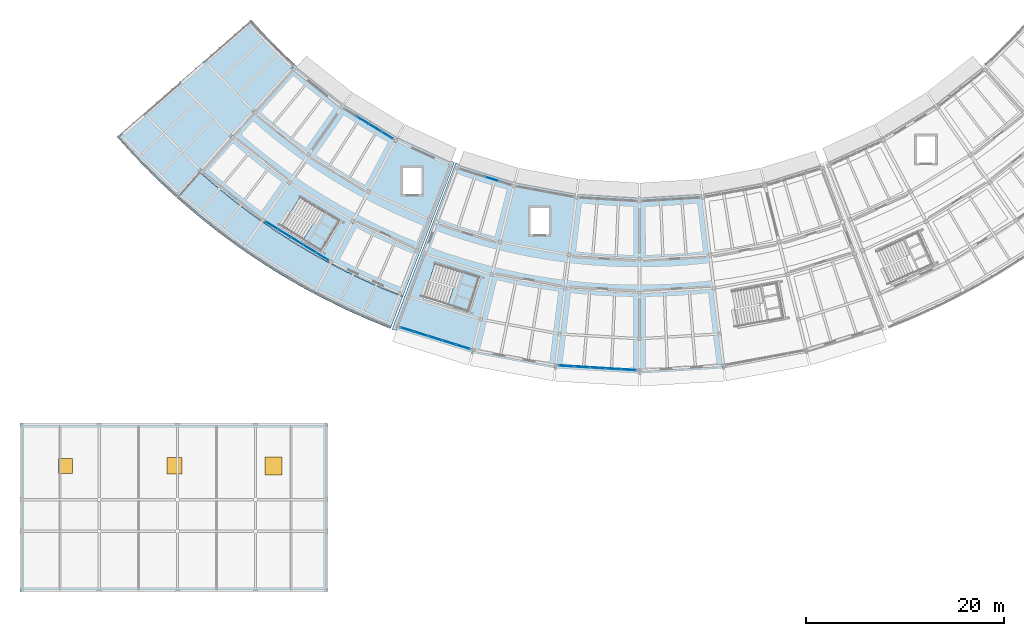
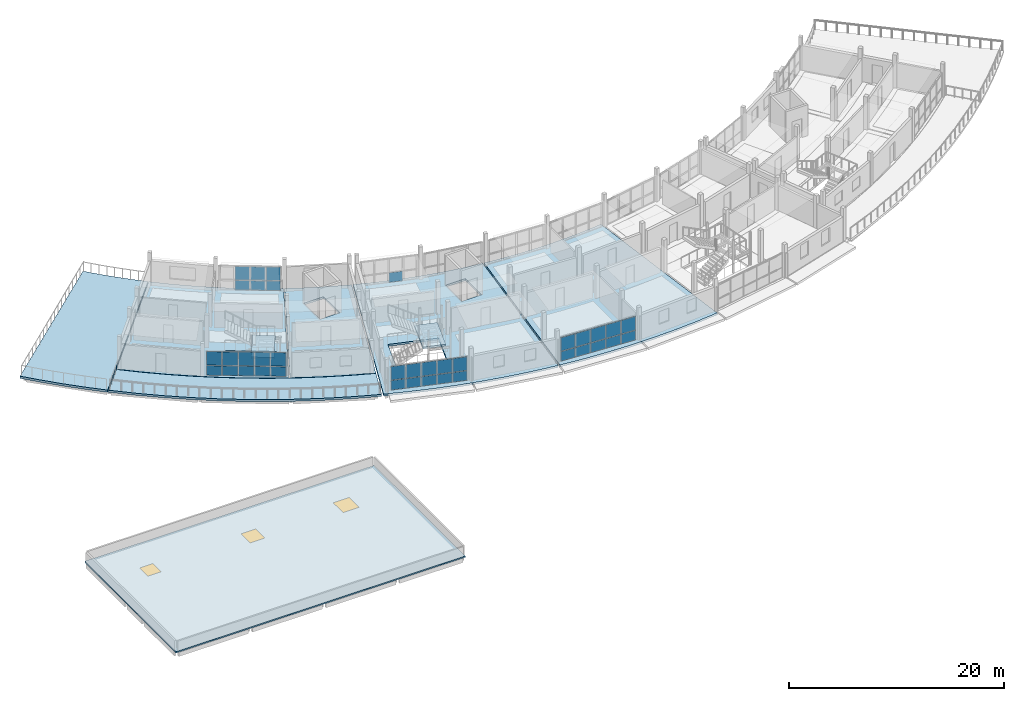
# One storey, part 20 of 36: 37 plates, 9 slabs, 3 windows, 3 openings, 7 elements without a shape of their own.
"""IFC4 building model written with IfcOpenShell, lengths in metres."""

from ifc_helpers import new_model, si_unit, direction, frame, origin, origin_2d, place, context, subcontext, project, spatial, polyline, rectangle, outline, extrude, material, layer, layer_set, type_object, element, fill, aggregate, save


model = new_model("IFC4")

# Units and contexts
model_context = context("Model", 3, precision=1e-05, world=origin(), true_north=direction((0.0, 1.0)))
body_context = subcontext(model_context, "Body", "Model", "MODEL_VIEW")
ifc_project = project(units=[si_unit("LENGTHUNIT", "METRE"), si_unit("AREAUNIT", "SQUARE_METRE"), si_unit("VOLUMEUNIT", "CUBIC_METRE"), si_unit("PLANEANGLEUNIT", "RADIAN"), si_unit("MASSUNIT", "GRAM", prefix="KILO")], contexts=[model_context])

# Site, building, storey
site_placement = place(None, origin())
site = spatial("IfcSite", under=ifc_project, at=site_placement, CompositionType="ELEMENT")
building_placement = place(site_placement, origin())
building = spatial("IfcBuilding", under=site, at=building_placement, Name="Caldaven Crescent School", CompositionType="ELEMENT")
storey_placement = place(building_placement, frame((0.0, 0.0, 11.89990234375)))
storey = spatial("IfcBuildingStorey", under=building, at=storey_placement, Name="L03", CompositionType="ELEMENT", Elevation=11.89990234375)

# Curtain wall, plates
ifc_material_1 = material(Name="Anodised aluminium AA 6063-T6 and low-E double glazing", Category="aluminium")
ifc_layer_1 = layer(ifc_material_1, 0.169921875)
ifc_layer_set_1 = layer_set([ifc_layer_1], Name="Anodised aluminium AA 6063-T6 and low-E double glazing")
curtain_wall_type_1 = type_object("IfcCurtainWallType", Name="CW-SYS1", PredefinedType="NOTDEFINED", material=ifc_layer_set_1)
curtain_wall_1_placement = place(storey_placement, origin())
curtain_wall_1 = element("IfcCurtainWall", 1, at=curtain_wall_1_placement, inside=storey, type_object=curtain_wall_type_1, Name="CW-L03-153", PredefinedType="NOTDEFINED")
ifc_material_2 = material(Name="Tempered low-E double glazing IGU", Category="glass")
ifc_layer_2 = layer(ifc_material_2, 0.0439453125)
ifc_layer_set_2 = layer_set([ifc_layer_2], Name="Tempered low-E double glazing IGU")
plate_type_1 = type_object("IfcPlateType", Name="PLT-CWP10", PredefinedType="CURTAIN_PANEL", material=ifc_layer_set_2)
plate_1_placement = place(storey_placement, frame((60.027587890625, 51.741455078125, 0.0703125), z_axis=(0.0, 0.0, 1.0), x_axis=(0.852639656854, -0.522499392879, 0.0)))
plate_1 = element("IfcPlate", 2, at=plate_1_placement, type_object=plate_type_1, Name="CW1 panel 2.1", PredefinedType="CURTAIN_PANEL", context=body_context, shape_type="SweptSolid", body=[
    extrude(rectangle(XDim=1.385986328125, YDim=0.0439453125, at=origin_2d()), origin(), (0.0, 0.0, 1.0), 1.071044921875),
])
plate_2_placement = place(storey_placement, frame((60.027587890625, 51.741455078125, 1.211181640625), z_axis=(0.0, 0.0, 1.0), x_axis=(0.852639656854, -0.522499392879, 0.0)))
plate_2 = element("IfcPlate", 3, at=plate_2_placement, type_object=plate_type_1, Name="CW1 panel 2.2", PredefinedType="CURTAIN_PANEL", context=body_context, shape_type="SweptSolid", body=[
    extrude(rectangle(XDim=1.385986328125, YDim=0.0439453125, at=origin_2d()), origin(), (0.0, 0.0, 1.0), 1.51904296875),
])
plate_3_placement = place(storey_placement, frame((61.2646484375, 50.9833984375, 0.0703125), z_axis=(0.0, 0.0, 1.0), x_axis=(0.852639656854, -0.522499392879, 0.0)))
plate_3 = element("IfcPlate", 4, at=plate_3_placement, type_object=plate_type_1, Name="CW1 panel 3.1", PredefinedType="CURTAIN_PANEL", context=body_context, shape_type="SweptSolid", body=[
    extrude(rectangle(XDim=1.385986328125, YDim=0.0439453125, at=origin_2d()), origin(), (0.0, 0.0, 1.0), 1.071044921875),
])
plate_4_placement = place(storey_placement, frame((61.2646484375, 50.9833984375, 1.211181640625), z_axis=(0.0, 0.0, 1.0), x_axis=(0.852639656854, -0.522499392879, 0.0)))
plate_4 = element("IfcPlate", 5, at=plate_4_placement, type_object=plate_type_1, Name="CW1 panel 3.2", PredefinedType="CURTAIN_PANEL", context=body_context, shape_type="SweptSolid", body=[
    extrude(rectangle(XDim=1.385986328125, YDim=0.0439453125, at=origin_2d()), origin(), (0.0, 0.0, 1.0), 1.51904296875),
])
plate_5_placement = place(storey_placement, frame((62.488037109375, 50.233642578125, 0.0703125), z_axis=(0.0, 0.0, 1.0), x_axis=(0.852639656854, -0.522499392879, 0.0)))
plate_5 = element("IfcPlate", 6, at=plate_5_placement, type_object=plate_type_1, Name="CW1 panel 4.1", PredefinedType="CURTAIN_PANEL", context=body_context, shape_type="SweptSolid", body=[
    extrude(rectangle(XDim=1.353515625, YDim=0.0439453125, at=origin_2d()), origin(), (0.0, 0.0, 1.0), 1.071044921875),
])
plate_6_placement = place(storey_placement, frame((62.488037109375, 50.233642578125, 1.211181640625), z_axis=(0.0, 0.0, 1.0), x_axis=(0.852639656854, -0.522499392879, 0.0)))
plate_6 = element("IfcPlate", 7, at=plate_6_placement, type_object=plate_type_1, Name="CW1 panel 4.2", PredefinedType="CURTAIN_PANEL", context=body_context, shape_type="SweptSolid", body=[
    extrude(rectangle(XDim=1.353515625, YDim=0.0439453125, at=origin_2d()), origin(), (0.0, 0.0, 1.0), 1.51904296875),
])
aggregate(curtain_wall_1, [plate_1, plate_2, plate_3, plate_4, plate_5, plate_6])

ifc_layer_3 = layer(ifc_material_1, 0.2099609375)
ifc_layer_set_3 = layer_set([ifc_layer_3], Name="Anodised aluminium AA 6063-T6 and low-E double glazing")
curtain_wall_type_2 = type_object("IfcCurtainWallType", Name="CW-SYS3", PredefinedType="NOTDEFINED", material=ifc_layer_set_3)
curtain_wall_2_placement = place(storey_placement, origin())
curtain_wall_2 = element("IfcCurtainWall", 8, at=curtain_wall_2_placement, inside=storey, type_object=curtain_wall_type_2, Name="CW-L03-154", PredefinedType="NOTDEFINED")
ifc_layer_4 = layer(ifc_material_2, 0.0458984375)
ifc_layer_set_4 = layer_set([ifc_layer_4], Name="Tempered low-E double glazing IGU")
plate_type_2 = type_object("IfcPlateType", Name="PLT-CWP11", PredefinedType="CURTAIN_PANEL", material=ifc_layer_set_4)
plate_7_placement = place(storey_placement, frame((50.851318359375, 41.0927734375, 0.06005859375), z_axis=(0.0, 0.0, 1.0), x_axis=(0.852640336399, -0.522498283964, 0.0)))
plate_7 = element("IfcPlate", 9, at=plate_7_placement, type_object=plate_type_2, Name="CW3 panel 1.1", PredefinedType="CURTAIN_PANEL", context=body_context, shape_type="SweptSolid", body=[
    extrude(rectangle(XDim=1.41015625, YDim=0.0458984375, at=origin_2d()), origin(), (0.0, 0.0, 1.0), 1.0859375),
])
plate_8_placement = place(storey_placement, frame((50.851318359375, 41.0927734375, 1.2060546875), z_axis=(0.0, 0.0, 1.0), x_axis=(0.852640336399, -0.522498283964, 0.0)))
plate_8 = element("IfcPlate", 10, at=plate_8_placement, type_object=plate_type_2, Name="CW3 panel 1.2", PredefinedType="CURTAIN_PANEL", context=body_context, shape_type="SweptSolid", body=[
    extrude(rectangle(XDim=1.41015625, YDim=0.0458984375, at=origin_2d()), origin(), (0.0, 0.0, 1.0), 1.533935546875),
])
plate_9_placement = place(storey_placement, frame((52.11767578125, 40.316650390625, 0.06005859375), z_axis=(0.0, 0.0, 1.0), x_axis=(0.852640336399, -0.522498283964, 0.0)))
plate_9 = element("IfcPlate", 11, at=plate_9_placement, type_object=plate_type_2, Name="CW3 panel 2.1", PredefinedType="CURTAIN_PANEL", context=body_context, shape_type="SweptSolid", body=[
    extrude(rectangle(XDim=1.440185546875, YDim=0.0458984375, at=origin_2d()), origin(), (0.0, 0.0, 1.0), 1.0859375),
])
plate_10_placement = place(storey_placement, frame((52.11767578125, 40.316650390625, 1.2060546875), z_axis=(0.0, 0.0, 1.0), x_axis=(0.852640336399, -0.522498283964, 0.0)))
plate_10 = element("IfcPlate", 12, at=plate_10_placement, type_object=plate_type_2, Name="CW3 panel 2.2", PredefinedType="CURTAIN_PANEL", context=body_context, shape_type="SweptSolid", body=[
    extrude(rectangle(XDim=1.440185546875, YDim=0.0458984375, at=origin_2d()), origin(), (0.0, 0.0, 1.0), 1.533935546875),
])
plate_11_placement = place(storey_placement, frame((53.39697265625, 39.532958984375, 0.06005859375), z_axis=(0.0, 0.0, 1.0), x_axis=(0.852640336399, -0.522498283964, 0.0)))
plate_11 = element("IfcPlate", 13, at=plate_11_placement, type_object=plate_type_2, Name="CW3 panel 3.1", PredefinedType="CURTAIN_PANEL", context=body_context, shape_type="SweptSolid", body=[
    extrude(rectangle(XDim=1.440185546875, YDim=0.0458984375, at=origin_2d()), origin(), (0.0, 0.0, 1.0), 1.0859375),
])
plate_12_placement = place(storey_placement, frame((53.39697265625, 39.532958984375, 1.2060546875), z_axis=(0.0, 0.0, 1.0), x_axis=(0.852640336399, -0.522498283964, 0.0)))
plate_12 = element("IfcPlate", 14, at=plate_12_placement, type_object=plate_type_2, Name="CW3 panel 3.2", PredefinedType="CURTAIN_PANEL", context=body_context, shape_type="SweptSolid", body=[
    extrude(rectangle(XDim=1.440185546875, YDim=0.0458984375, at=origin_2d()), origin(), (0.0, 0.0, 1.0), 1.533935546875),
])
plate_13_placement = place(storey_placement, frame((54.676025390625, 38.7490234375, 0.06005859375), z_axis=(0.0, 0.0, 1.0), x_axis=(0.852640336399, -0.522498283964, 0.0)))
plate_13 = element("IfcPlate", 15, at=plate_13_placement, type_object=plate_type_2, Name="CW3 panel 4.1", PredefinedType="CURTAIN_PANEL", context=body_context, shape_type="SweptSolid", body=[
    extrude(rectangle(XDim=1.440185546875, YDim=0.0458984375, at=origin_2d()), origin(), (0.0, 0.0, 1.0), 1.0859375),
])
plate_14_placement = place(storey_placement, frame((54.676025390625, 38.7490234375, 1.2060546875), z_axis=(0.0, 0.0, 1.0), x_axis=(0.852640336399, -0.522498283964, 0.0)))
plate_14 = element("IfcPlate", 16, at=plate_14_placement, type_object=plate_type_2, Name="CW3 panel 4.2", PredefinedType="CURTAIN_PANEL", context=body_context, shape_type="SweptSolid", body=[
    extrude(rectangle(XDim=1.440185546875, YDim=0.0458984375, at=origin_2d()), origin(), (0.0, 0.0, 1.0), 1.533935546875),
])
plate_15_placement = place(storey_placement, frame((55.9423828125, 37.972900390625, 0.06005859375), z_axis=(0.0, 0.0, 1.0), x_axis=(0.852640336399, -0.522498283964, 0.0)))
plate_15 = element("IfcPlate", 17, at=plate_15_placement, type_object=plate_type_2, Name="CW3 panel 5.1", PredefinedType="CURTAIN_PANEL", context=body_context, shape_type="SweptSolid", body=[
    extrude(rectangle(XDim=1.41015625, YDim=0.0458984375, at=origin_2d()), origin(), (0.0, 0.0, 1.0), 1.0859375),
])
plate_16_placement = place(storey_placement, frame((55.9423828125, 37.972900390625, 1.2060546875), z_axis=(0.0, 0.0, 1.0), x_axis=(0.852640336399, -0.522498283964, 0.0)))
plate_16 = element("IfcPlate", 18, at=plate_16_placement, type_object=plate_type_2, Name="CW3 panel 5.2", PredefinedType="CURTAIN_PANEL", context=body_context, shape_type="SweptSolid", body=[
    extrude(rectangle(XDim=1.41015625, YDim=0.0458984375, at=origin_2d()), origin(), (0.0, 0.0, 1.0), 1.533935546875),
])
aggregate(curtain_wall_2, [plate_7, plate_8, plate_9, plate_10, plate_11, plate_12, plate_13, plate_14, plate_15, plate_16])

# Curtain wall, plate
curtain_wall_3_placement = place(storey_placement, origin())
curtain_wall_3 = element("IfcCurtainWall", 19, at=curtain_wall_3_placement, inside=storey, type_object=curtain_wall_type_2, Name="CW-L03-155", PredefinedType="NOTDEFINED")
ifc_layer_5 = layer(ifc_material_2, 0.048095703125)
ifc_layer_set_5 = layer_set([ifc_layer_5], Name="Tempered low-E double glazing IGU")
plate_type_3 = type_object("IfcPlateType", Name="PLT-CWP12", PredefinedType="CURTAIN_PANEL", material=ifc_layer_set_5)
plate_17_placement = place(storey_placement, frame((73.075927734375, 45.804443359375, 0.06005859375), z_axis=(0.0, 0.0, 1.0), x_axis=(0.954746818344, -0.297419758694, 0.0)))
plate_17 = element("IfcPlate", 20, at=plate_17_placement, type_object=plate_type_3, Name="CW3 panel 3.1", PredefinedType="CURTAIN_PANEL", context=body_context, shape_type="SweptSolid", body=[
    extrude(rectangle(XDim=1.30078125, YDim=0.048095703125, at=origin_2d()), origin(), (0.0, 0.0, 1.0), 1.0859375),
])
aggregate(curtain_wall_3, [plate_17])

# Curtain wall, plates
curtain_wall_4_placement = place(storey_placement, origin())
curtain_wall_4 = element("IfcCurtainWall", 21, at=curtain_wall_4_placement, inside=storey, type_object=curtain_wall_type_1, Name="CW-L03-156", PredefinedType="NOTDEFINED")
ifc_layer_6 = layer(ifc_material_2, 0.050048828125)
ifc_layer_set_6 = layer_set([ifc_layer_6], Name="Tempered low-E double glazing IGU")
plate_type_4 = type_object("IfcPlateType", Name="PLT-CWP13", PredefinedType="CURTAIN_PANEL", material=ifc_layer_set_6)
plate_18_placement = place(storey_placement, frame((64.5341796875, 30.58447265625, 0.06494140625), z_axis=(0.0, 0.0, 1.0), x_axis=(0.954746673802, -0.297420222689, 0.0)))
plate_18 = element("IfcPlate", 22, at=plate_18_placement, type_object=plate_type_4, Name="CW1 panel 1.1", PredefinedType="CURTAIN_PANEL", context=body_context, shape_type="SweptSolid", body=[
    extrude(rectangle(XDim=1.377685546875, YDim=0.050048828125, at=origin_2d()), origin(), (0.0, 0.0, 1.0), 1.07861328125),
])
plate_19_placement = place(storey_placement, frame((64.5341796875, 30.58447265625, 1.20849609375), z_axis=(0.0, 0.0, 1.0), x_axis=(0.954746673802, -0.297420222689, 0.0)))
plate_19 = element("IfcPlate", 23, at=plate_19_placement, type_object=plate_type_4, Name="CW1 panel 1.2", PredefinedType="CURTAIN_PANEL", context=body_context, shape_type="SweptSolid", body=[
    extrude(rectangle(XDim=1.377685546875, YDim=0.050048828125, at=origin_2d()), origin(), (0.0, 0.0, 1.0), 1.526611328125),
])
plate_20_placement = place(storey_placement, frame((65.93310546875, 30.148681640625, 0.06494140625), z_axis=(0.0, 0.0, 1.0), x_axis=(0.954746673802, -0.297420222689, 0.0)))
plate_20 = element("IfcPlate", 24, at=plate_20_placement, type_object=plate_type_4, Name="CW1 panel 2.1", PredefinedType="CURTAIN_PANEL", context=body_context, shape_type="SweptSolid", body=[
    extrude(rectangle(XDim=1.412841796875, YDim=0.050048828125, at=origin_2d()), origin(), (0.0, 0.0, 1.0), 1.07861328125),
])
plate_21_placement = place(storey_placement, frame((65.93310546875, 30.148681640625, 1.20849609375), z_axis=(0.0, 0.0, 1.0), x_axis=(0.954746673802, -0.297420222689, 0.0)))
plate_21 = element("IfcPlate", 25, at=plate_21_placement, type_object=plate_type_4, Name="CW1 panel 2.2", PredefinedType="CURTAIN_PANEL", context=body_context, shape_type="SweptSolid", body=[
    extrude(rectangle(XDim=1.412841796875, YDim=0.050048828125, at=origin_2d()), origin(), (0.0, 0.0, 1.0), 1.526611328125),
])
plate_22_placement = place(storey_placement, frame((67.3486328125, 29.707763671875, 0.06494140625), z_axis=(0.0, 0.0, 1.0), x_axis=(0.954746673802, -0.297420222689, 0.0)))
plate_22 = element("IfcPlate", 26, at=plate_22_placement, type_object=plate_type_4, Name="CW1 panel 3.1", PredefinedType="CURTAIN_PANEL", context=body_context, shape_type="SweptSolid", body=[
    extrude(rectangle(XDim=1.412841796875, YDim=0.050048828125, at=origin_2d()), origin(), (0.0, 0.0, 1.0), 1.07861328125),
])
plate_23_placement = place(storey_placement, frame((67.3486328125, 29.707763671875, 1.20849609375), z_axis=(0.0, 0.0, 1.0), x_axis=(0.954746673802, -0.297420222689, 0.0)))
plate_23 = element("IfcPlate", 27, at=plate_23_placement, type_object=plate_type_4, Name="CW1 panel 3.2", PredefinedType="CURTAIN_PANEL", context=body_context, shape_type="SweptSolid", body=[
    extrude(rectangle(XDim=1.412841796875, YDim=0.050048828125, at=origin_2d()), origin(), (0.0, 0.0, 1.0), 1.526611328125),
])
plate_24_placement = place(storey_placement, frame((68.764404296875, 29.2666015625, 0.06494140625), z_axis=(0.0, 0.0, 1.0), x_axis=(0.954746673802, -0.297420222689, 0.0)))
plate_24 = element("IfcPlate", 28, at=plate_24_placement, type_object=plate_type_4, Name="CW1 panel 4.1", PredefinedType="CURTAIN_PANEL", context=body_context, shape_type="SweptSolid", body=[
    extrude(rectangle(XDim=1.412841796875, YDim=0.050048828125, at=origin_2d()), origin(), (0.0, 0.0, 1.0), 1.07861328125),
])
plate_25_placement = place(storey_placement, frame((68.764404296875, 29.2666015625, 1.20849609375), z_axis=(0.0, 0.0, 1.0), x_axis=(0.954746673802, -0.297420222689, 0.0)))
plate_25 = element("IfcPlate", 29, at=plate_25_placement, type_object=plate_type_4, Name="CW1 panel 4.2", PredefinedType="CURTAIN_PANEL", context=body_context, shape_type="SweptSolid", body=[
    extrude(rectangle(XDim=1.412841796875, YDim=0.050048828125, at=origin_2d()), origin(), (0.0, 0.0, 1.0), 1.526611328125),
])
plate_26_placement = place(storey_placement, frame((70.163330078125, 28.830810546875, 0.06494140625), z_axis=(0.0, 0.0, 1.0), x_axis=(0.954746673802, -0.297420222689, 0.0)))
plate_26 = element("IfcPlate", 30, at=plate_26_placement, type_object=plate_type_4, Name="CW1 panel 5.1", PredefinedType="CURTAIN_PANEL", context=body_context, shape_type="SweptSolid", body=[
    extrude(rectangle(XDim=1.377685546875, YDim=0.050048828125, at=origin_2d()), origin(), (0.0, 0.0, 1.0), 1.07861328125),
])
plate_27_placement = place(storey_placement, frame((70.163330078125, 28.830810546875, 1.20849609375), z_axis=(0.0, 0.0, 1.0), x_axis=(0.954746673802, -0.297420222689, 0.0)))
plate_27 = element("IfcPlate", 31, at=plate_27_placement, type_object=plate_type_4, Name="CW1 panel 5.2", PredefinedType="CURTAIN_PANEL", context=body_context, shape_type="SweptSolid", body=[
    extrude(rectangle(XDim=1.377685546875, YDim=0.050048828125, at=origin_2d()), origin(), (0.0, 0.0, 1.0), 1.526611328125),
])
aggregate(curtain_wall_4, [plate_18, plate_19, plate_20, plate_21, plate_22, plate_23, plate_24, plate_25, plate_26, plate_27])

curtain_wall_5_placement = place(storey_placement, origin())
curtain_wall_5 = element("IfcCurtainWall", 32, at=curtain_wall_5_placement, inside=storey, type_object=curtain_wall_type_2, Name="CW-L03-159", PredefinedType="NOTDEFINED")
ifc_layer_7 = layer(ifc_material_2, 0.055908203125)
ifc_layer_set_7 = layer_set([ifc_layer_7], Name="Tempered low-E double glazing IGU")
plate_type_5 = type_object("IfcPlateType", Name="PLT-CWP16", PredefinedType="CURTAIN_PANEL", material=ifc_layer_set_7)
plate_28_placement = place(storey_placement, frame((80.62744140625, 26.90087890625, 0.0703125), z_axis=(0.0, 0.0, 1.0), x_axis=(0.998134766843, -0.061049055851, 0.0)))
plate_28 = element("IfcPlate", 33, at=plate_28_placement, type_object=plate_type_5, Name="CW3 panel 1.1", PredefinedType="CURTAIN_PANEL", context=body_context, shape_type="SweptSolid", body=[
    extrude(rectangle(XDim=1.48095703125, YDim=0.055908203125, at=origin_2d()), origin(), (0.0, 0.0, 1.0), 1.071044921875),
])
plate_29_placement = place(storey_placement, frame((80.62744140625, 26.90087890625, 1.211181640625), z_axis=(0.0, 0.0, 1.0), x_axis=(0.998134766843, -0.061049055851, 0.0)))
plate_29 = element("IfcPlate", 34, at=plate_29_placement, type_object=plate_type_5, Name="CW3 panel 1.2", PredefinedType="CURTAIN_PANEL", context=body_context, shape_type="SweptSolid", body=[
    extrude(rectangle(XDim=1.48095703125, YDim=0.055908203125, at=origin_2d()), origin(), (0.0, 0.0, 1.0), 1.51904296875),
])
plate_30_placement = place(storey_placement, frame((82.1865234375, 26.8056640625, 0.0703125), z_axis=(0.0, 0.0, 1.0), x_axis=(0.998134766843, -0.061049055851, 0.0)))
plate_30 = element("IfcPlate", 35, at=plate_30_placement, type_object=plate_type_5, Name="CW3 panel 2.1", PredefinedType="CURTAIN_PANEL", context=body_context, shape_type="SweptSolid", body=[
    extrude(rectangle(XDim=1.513427734375, YDim=0.055908203125, at=origin_2d()), origin(), (0.0, 0.0, 1.0), 1.071044921875),
])
plate_31_placement = place(storey_placement, frame((82.1865234375, 26.8056640625, 1.211181640625), z_axis=(0.0, 0.0, 1.0), x_axis=(0.998134766843, -0.061049055851, 0.0)))
plate_31 = element("IfcPlate", 36, at=plate_31_placement, type_object=plate_type_5, Name="CW3 panel 2.2", PredefinedType="CURTAIN_PANEL", context=body_context, shape_type="SweptSolid", body=[
    extrude(rectangle(XDim=1.513427734375, YDim=0.055908203125, at=origin_2d()), origin(), (0.0, 0.0, 1.0), 1.51904296875),
])
plate_32_placement = place(storey_placement, frame((83.761962890625, 26.709228515625, 0.0703125), z_axis=(0.0, 0.0, 1.0), x_axis=(0.998134766843, -0.061049055851, 0.0)))
plate_32 = element("IfcPlate", 37, at=plate_32_placement, type_object=plate_type_5, Name="CW3 panel 3.1", PredefinedType="CURTAIN_PANEL", context=body_context, shape_type="SweptSolid", body=[
    extrude(rectangle(XDim=1.513427734375, YDim=0.055908203125, at=origin_2d()), origin(), (0.0, 0.0, 1.0), 1.071044921875),
])
plate_33_placement = place(storey_placement, frame((83.761962890625, 26.709228515625, 1.211181640625), z_axis=(0.0, 0.0, 1.0), x_axis=(0.998134766843, -0.061049055851, 0.0)))
plate_33 = element("IfcPlate", 38, at=plate_33_placement, type_object=plate_type_5, Name="CW3 panel 3.2", PredefinedType="CURTAIN_PANEL", context=body_context, shape_type="SweptSolid", body=[
    extrude(rectangle(XDim=1.513427734375, YDim=0.055908203125, at=origin_2d()), origin(), (0.0, 0.0, 1.0), 1.51904296875),
])
plate_34_placement = place(storey_placement, frame((85.33740234375, 26.61279296875, 0.0703125), z_axis=(0.0, 0.0, 1.0), x_axis=(0.998134766843, -0.061049055851, 0.0)))
plate_34 = element("IfcPlate", 39, at=plate_34_placement, type_object=plate_type_5, Name="CW3 panel 4.1", PredefinedType="CURTAIN_PANEL", context=body_context, shape_type="SweptSolid", body=[
    extrude(rectangle(XDim=1.513427734375, YDim=0.055908203125, at=origin_2d()), origin(), (0.0, 0.0, 1.0), 1.071044921875),
])
plate_35_placement = place(storey_placement, frame((85.33740234375, 26.61279296875, 1.211181640625), z_axis=(0.0, 0.0, 1.0), x_axis=(0.998134766843, -0.061049055851, 0.0)))
plate_35 = element("IfcPlate", 40, at=plate_35_placement, type_object=plate_type_5, Name="CW3 panel 4.2", PredefinedType="CURTAIN_PANEL", context=body_context, shape_type="SweptSolid", body=[
    extrude(rectangle(XDim=1.513427734375, YDim=0.055908203125, at=origin_2d()), origin(), (0.0, 0.0, 1.0), 1.51904296875),
])
plate_36_placement = place(storey_placement, frame((86.896728515625, 26.517578125, 0.0703125), z_axis=(0.0, 0.0, 1.0), x_axis=(0.998134766843, -0.061049055851, 0.0)))
plate_36 = element("IfcPlate", 41, at=plate_36_placement, type_object=plate_type_5, Name="CW3 panel 5.1", PredefinedType="CURTAIN_PANEL", context=body_context, shape_type="SweptSolid", body=[
    extrude(rectangle(XDim=1.48095703125, YDim=0.055908203125, at=origin_2d()), origin(), (0.0, 0.0, 1.0), 1.071044921875),
])
plate_37_placement = place(storey_placement, frame((86.896728515625, 26.517578125, 1.211181640625), z_axis=(0.0, 0.0, 1.0), x_axis=(0.998134766843, -0.061049055851, 0.0)))
plate_37 = element("IfcPlate", 42, at=plate_37_placement, type_object=plate_type_5, Name="CW3 panel 5.2", PredefinedType="CURTAIN_PANEL", context=body_context, shape_type="SweptSolid", body=[
    extrude(rectangle(XDim=1.48095703125, YDim=0.055908203125, at=origin_2d()), origin(), (0.0, 0.0, 1.0), 1.51904296875),
])
aggregate(curtain_wall_5, [plate_28, plate_29, plate_30, plate_31, plate_32, plate_33, plate_34, plate_35, plate_36, plate_37])

# Slabs
ifc_material_3 = material(Name="Cross-laminated timber CLT C24", Category="wood")
ifc_layer_8 = layer(ifc_material_3, 0.219970703125)
ifc_layer_set_8 = layer_set([ifc_layer_8], Name="Cross-laminated timber CLT C24")
slab_type_1 = type_object("IfcSlabType", Name="SLB-FS2", PredefinedType="FLOOR", material=ifc_layer_set_8)
slab_1_placement = place(storey_placement, frame((0.0, 0.0, -0.219970703125)))
element("IfcSlab", 43, at=slab_1_placement, inside=storey, type_object=slab_type_1, Name="SLB-V4W-L03-B02", PredefinedType="FLOOR", context=body_context, shape_type="SweptSolid", body=[
    extrude(outline(polyline([(43.505615234375, 46.551513671875), (45.2470703125, 45.038330078125), (47.0400390625, 43.58642578125), (48.88232421875, 42.197509765625), (50.771484375, 40.873291015625), (52.70556640625, 39.615478515625), (54.681884765625, 38.425537109375), (56.698486328125, 37.3046875), (63.531005859375, 50.11669921875), (61.95458984375, 50.992919921875), (60.40966796875, 51.923095703125), (58.897705078125, 52.906494140625), (57.4208984375, 53.94140625), (55.980712890625, 55.027099609375), (54.579345703125, 56.162109375), (53.2177734375, 57.344970703125), (43.505615234375, 46.551513671875)]), holes=[polyline([(51.8125, 40.874755859375), (53.78759765625, 44.09765625), (57.864990234375, 41.59912109375), (55.889892578125, 38.3759765625), (51.8125, 40.874755859375)])]), origin(), (0.0, 0.0, 1.0), 0.219970703125),
])
slab_2_placement = place(storey_placement, frame((0.0, 0.0, -0.219970703125)))
element("IfcSlab", 44, at=slab_2_placement, inside=storey, type_object=slab_type_1, Name="SLB-V4W-L03-B04", PredefinedType="FLOOR", context=body_context, shape_type="SweptSolid", body=[
    extrude(outline(polyline([(56.7900390625, 37.256103515625), (58.5751953125, 36.341796875), (60.38720703125, 35.48193359375), (62.224365234375, 34.6767578125), (64.0849609375, 33.927490234375), (69.30517578125, 47.476806640625), (67.850830078125, 48.0625), (66.41455078125, 48.691650390625), (64.998046875, 49.364013671875), (63.6025390625, 50.07861328125), (56.7900390625, 37.256103515625)]), holes=[polyline([(63.97607421875, 44.088134765625), (63.97607421875, 47.088134765625), (66.075927734375, 47.088134765625), (66.075927734375, 44.088134765625), (63.97607421875, 44.088134765625)])]), origin(), (0.0, 0.0, 1.0), 0.219970703125),
])
slab_3_placement = place(storey_placement, frame((0.0, 0.0, -0.219970703125)))
element("IfcSlab", 45, at=slab_3_placement, inside=storey, type_object=slab_type_1, Name="SLB-V5-L03-B05", PredefinedType="FLOOR", context=body_context, shape_type="SweptSolid", body=[
    extrude(outline(polyline([(62.99462890625, 30.61865234375), (65.268310546875, 29.793701171875), (67.5693359375, 29.0478515625), (69.89453125, 28.382080078125), (72.241455078125, 27.796875), (74.607177734375, 27.293212890625), (76.98876953125, 26.87158203125), (79.3837890625, 26.5322265625), (81.599365234375, 44.3955078125), (79.8203125, 44.6474609375), (78.051025390625, 44.960693359375), (76.293701171875, 45.334716796875), (74.55029296875, 45.76953125), (72.822998046875, 46.26416015625), (71.113525390625, 46.818115234375), (69.424560546875, 47.430908203125), (62.99462890625, 30.61865234375)]), holes=[polyline([(76.854248046875, 40.027587890625), (76.854248046875, 43.027587890625), (78.9541015625, 43.027587890625), (78.9541015625, 40.027587890625), (76.854248046875, 40.027587890625)]), polyline([(66.21142578125, 33.719482421875), (67.3720703125, 37.40087890625), (71.970947265625, 35.95068359375), (70.810302734375, 32.26953125), (66.21142578125, 33.719482421875)])]), origin(), (0.0, 0.0, 1.0), 0.219970703125),
])
slab_4_placement = place(storey_placement, frame((0.0, 0.0, -0.219970703125)))
element("IfcSlab", 46, at=slab_4_placement, inside=storey, type_object=slab_type_1, Name="SLB-V5-L03-B07", PredefinedType="FLOOR", context=body_context, shape_type="SweptSolid", body=[
    extrude(outline(polyline([(79.5546875, 26.51123046875), (81.96044921875, 26.260986328125), (84.373291015625, 26.093994140625), (86.79052734375, 26.010498046875), (89.20947265625, 26.010498046875), (91.626708984375, 26.093994140625), (94.03955078125, 26.260986328125), (96.4453125, 26.51123046875), (94.273681640625, 44.3798828125), (92.486572265625, 44.19384765625), (90.694091796875, 44.06982421875), (88.8984375, 44.0078125), (87.1015625, 44.0078125), (85.305908203125, 44.06982421875), (83.513427734375, 44.19384765625), (81.726318359375, 44.3798828125), (79.5546875, 26.51123046875)])), origin(), (0.0, 0.0, 1.0), 0.219970703125),
])

# Stair, slab
ifc_material_4 = material(Name="Precast concrete C30/37", Category="concrete")
stair_type_1 = type_object("IfcStairType", Name="STR-S5", PredefinedType="TWO_STRAIGHT_RUN_STAIR", material=ifc_material_4)
stair_1_placement = place(storey_placement, origin())
stair_1 = element("IfcStair", 47, at=stair_1_placement, inside=storey, type_object=stair_type_1, Name="STAIR-ST1-L03", PredefinedType="TWO_STRAIGHT_RUN_STAIR")
ifc_material_5 = material(Name="Concrete C30/37", Category="concrete")
ifc_layer_9 = layer(ifc_material_5, 0.195068359375)
ifc_layer_set_9 = layer_set([ifc_layer_9], Name="Concrete C30/37")
slab_type_2 = type_object("IfcSlabType", Name="SLB-LND2", PredefinedType="LANDING", material=ifc_layer_set_9)
slab_5_placement = place(storey_placement, frame((0.0, 0.0, 1.675048828125)))
slab_5 = element("IfcSlab", 48, at=slab_5_placement, type_object=slab_type_2, Name="ST1-L03 landing 1", PredefinedType="LANDING", context=body_context, shape_type="SweptSolid", body=[
    extrude(outline(polyline([(54.0048828125, 39.66015625), (55.844970703125, 38.532470703125), (57.705078125, 41.56787109375), (55.864990234375, 42.695556640625), (54.0048828125, 39.66015625)])), origin(), (0.0, 0.0, 1.0), 0.195068359375),
])
aggregate(stair_1, [slab_5])

stair_type_2 = type_object("IfcStairType", Name="STR-S6", PredefinedType="TWO_STRAIGHT_RUN_STAIR", material=ifc_material_4)
stair_2_placement = place(storey_placement, origin())
stair_2 = element("IfcStair", 49, at=stair_2_placement, inside=storey, type_object=stair_type_2, Name="STAIR-ST2-L03", PredefinedType="TWO_STRAIGHT_RUN_STAIR")
slab_6_placement = place(storey_placement, frame((0.0, 0.0, 1.675048828125)))
slab_6 = element("IfcSlab", 50, at=slab_6_placement, type_object=slab_type_2, Name="ST2-L03 landing 1", PredefinedType="LANDING", context=body_context, shape_type="SweptSolid", body=[
    extrude(outline(polyline([(68.632568359375, 33.0712890625), (70.728759765625, 32.410400390625), (71.823486328125, 35.8818359375), (69.727294921875, 36.54296875), (68.632568359375, 33.0712890625)])), origin(), (0.0, 0.0, 1.0), 0.195068359375),
])
aggregate(stair_2, [slab_6])

# Slab, openings, windows
ifc_layer_10 = layer(ifc_material_3, 0.14990234375)
ifc_layer_set_10 = layer_set([ifc_layer_10], Name="Cross-laminated timber CLT C24")
slab_type_3 = type_object("IfcSlabType", Name="SLB-RS5", PredefinedType="ROOF", material=ifc_layer_set_10)
slab_7_placement = place(storey_placement, frame((0.0, 0.0, -0.14990234375)))
slab_7 = element("IfcSlab", 51, at=slab_7_placement, inside=storey, type_object=slab_type_3, Name="SLB-V4S-L03", PredefinedType="ROOF", context=body_context, shape_type="SweptSolid", body=[
    extrude(outline(polyline([(25.419921875, 4.1201171875), (56.47998046875, 4.1201171875), (56.47998046875, 21.080078125), (25.419921875, 21.080078125), (25.419921875, 4.1201171875)])), origin(), (0.0, 0.0, 1.0), 0.14990234375),
])
opening_1_placement = place(slab_7_placement, frame((30.0, 16.800048828125, -0.010009765625)))
opening_1 = element("IfcOpeningElement", 52, at=opening_1_placement, cuts=slab_7, Name="Opening SK01", PredefinedType="OPENING", context=body_context, shape_type="SweptSolid", body=[
    extrude(rectangle(XDim=1.39990234375, YDim=1.510009765625, at=origin_2d()), origin(), (0.0, 0.0, 1.0), 0.169921875),
])
opening_2_placement = place(slab_7_placement, frame((41.0, 16.800048828125, -0.010009765625)))
opening_2 = element("IfcOpeningElement", 53, at=opening_2_placement, cuts=slab_7, Name="Opening SK02", PredefinedType="OPENING", context=body_context, shape_type="SweptSolid", body=[
    extrude(rectangle(XDim=1.550048828125, YDim=1.669921875, at=origin_2d()), origin(), (0.0, 0.0, 1.0), 0.169921875),
])
opening_3_placement = place(slab_7_placement, frame((51.0, 16.800048828125, -0.010009765625)))
opening_3 = element("IfcOpeningElement", 54, at=opening_3_placement, cuts=slab_7, Name="Opening SK03", PredefinedType="OPENING", context=body_context, shape_type="SweptSolid", body=[
    extrude(rectangle(XDim=1.699951171875, YDim=1.830078125, at=origin_2d()), origin(), (0.0, 0.0, 1.0), 0.169921875),
])
ifc_material_6 = material(Name="Thermally broken laminated safety skylight glazing", Category="glass")
window_type_1 = type_object("IfcWindowType", Name="WIN-SKY01", PartitioningType="SINGLE_PANEL", PredefinedType="SKYLIGHT", material=ifc_material_6)
window_1_placement = place(opening_1_placement, frame((0.0, 0.0, 0.10986328125)))
window_1 = element("IfcWindow", 55, at=window_1_placement, inside=storey, type_object=window_type_1, Name="SKY-V4S-L03-1", OverallHeight=1.510009765625, OverallWidth=1.39990234375, PartitioningType="SINGLE_PANEL", PredefinedType="SKYLIGHT", context=body_context, shape_type="SweptSolid", body=[
    extrude(rectangle(XDim=1.39990234375, YDim=1.510009765625, at=origin_2d()), origin(), (0.0, 0.0, 1.0), 0.050048828125),
])
fill(opening_1, window_1)
window_type_2 = type_object("IfcWindowType", Name="WIN-SKY02", PartitioningType="SINGLE_PANEL", PredefinedType="SKYLIGHT", material=ifc_material_6)
window_2_placement = place(opening_2_placement, frame((0.0, 0.0, 0.10986328125)))
window_2 = element("IfcWindow", 56, at=window_2_placement, inside=storey, type_object=window_type_2, Name="SKY-V4S-L03-2", OverallHeight=1.669921875, OverallWidth=1.550048828125, PartitioningType="SINGLE_PANEL", PredefinedType="SKYLIGHT", context=body_context, shape_type="SweptSolid", body=[
    extrude(rectangle(XDim=1.550048828125, YDim=1.669921875, at=origin_2d()), origin(), (0.0, 0.0, 1.0), 0.050048828125),
])
fill(opening_2, window_2)
window_type_3 = type_object("IfcWindowType", Name="WIN-SKY03", PartitioningType="SINGLE_PANEL", PredefinedType="SKYLIGHT", material=ifc_material_6)
window_3_placement = place(opening_3_placement, frame((0.0, 0.0, 0.10986328125)))
window_3 = element("IfcWindow", 57, at=window_3_placement, inside=storey, type_object=window_type_3, Name="SKY-V4S-L03-3", OverallHeight=1.830078125, OverallWidth=1.699951171875, PartitioningType="SINGLE_PANEL", PredefinedType="SKYLIGHT", context=body_context, shape_type="SweptSolid", body=[
    extrude(rectangle(XDim=1.699951171875, YDim=1.830078125, at=origin_2d()), origin(), (0.0, 0.0, 1.0), 0.050048828125),
])
fill(opening_3, window_3)

# Slabs
ifc_layer_11 = layer(ifc_material_3, 0.25)
ifc_layer_set_11 = layer_set([ifc_layer_11], Name="Cross-laminated timber CLT C24")
slab_type_4 = type_object("IfcSlabType", Name="SLB-TS1", PredefinedType="FLOOR", material=ifc_layer_set_11)
slab_8_placement = place(storey_placement, frame((0.0, 0.0, -0.25)))
element("IfcSlab", 58, at=slab_8_placement, inside=storey, type_object=slab_type_4, Name="SLB-PD-L03-W", PredefinedType="FLOOR", context=body_context, shape_type="SweptSolid", body=[
    extrude(outline(polyline([(35.19287109375, 50.0498046875), (36.605224609375, 48.4755859375), (38.064453125, 46.944580078125), (39.5693359375, 45.458251953125), (41.1181640625, 44.018310546875), (53.173583984375, 57.385009765625), (52.02294921875, 58.454833984375), (50.905029296875, 59.558837890625), (49.821044921875, 60.696044921875), (48.77197265625, 61.86572265625), (35.19287109375, 50.0498046875)])), origin(), (0.0, 0.0, 1.0), 0.25),
])
ifc_layer_12 = layer(ifc_material_3, 0.22998046875)
ifc_layer_set_12 = layer_set([ifc_layer_12], Name="Cross-laminated timber CLT C24")
slab_type_5 = type_object("IfcSlabType", Name="SLB-TS2", PredefinedType="FLOOR", material=ifc_layer_set_12)
slab_9_placement = place(storey_placement, frame((0.0, 0.0, -0.22998046875)))
element("IfcSlab", 59, at=slab_9_placement, inside=storey, type_object=slab_type_5, Name="SLB-BT-L03-W", PredefinedType="FLOOR", context=body_context, shape_type="SweptSolid", body=[
    extrude(outline(polyline([(41.1865234375, 43.956787109375), (43.11572265625, 42.2841796875), (45.104736328125, 40.682861328125), (47.150634765625, 39.1552734375), (49.251220703125, 37.703125), (51.403076171875, 36.32861328125), (53.603759765625, 35.03369140625), (55.85009765625, 33.81982421875), (58.139404296875, 32.6884765625), (60.46826171875, 31.6416015625), (62.833984375, 30.68017578125), (64.07421875, 33.899658203125), (61.8251953125, 34.8134765625), (59.611083984375, 35.808837890625), (57.434814453125, 36.88427734375), (55.299072265625, 38.038330078125), (53.206787109375, 39.26953125), (51.160888671875, 40.576416015625), (49.1640625, 41.956787109375), (47.21875, 43.4091796875), (45.327880859375, 44.931396484375), (43.49365234375, 46.521728515625), (41.1865234375, 43.956787109375)])), origin(), (0.0, 0.0, 1.0), 0.22998046875),
])

save(model, "model.ifc")
